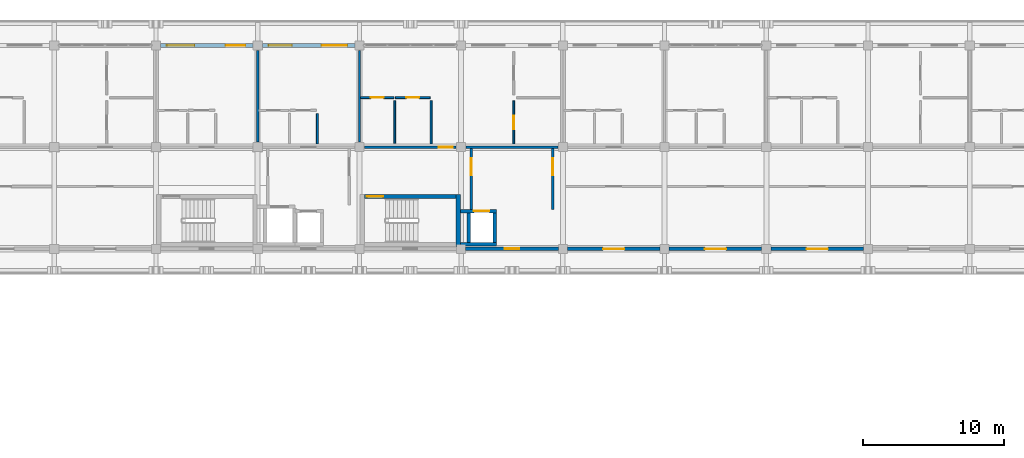
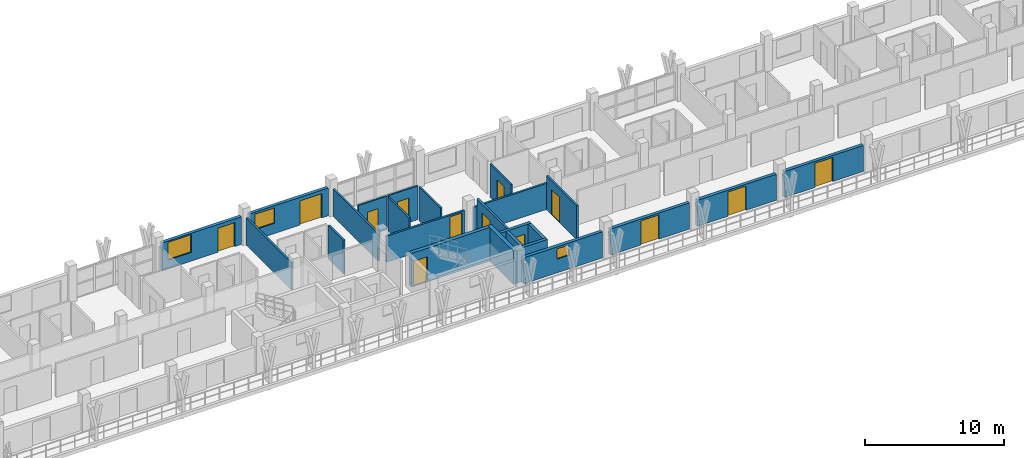
# One storey, part 48 of 78: 24 walls, 13 doors, 3 windows, 16 openings.
"""IFC4 building model written with IfcOpenShell, lengths in metres."""

from ifc_helpers import new_model, si_unit, direction, frame, frame_2d, origin, place, context, subcontext, project, spatial, rectangle, extrude, material, layer, layer_set, type_object, element, fill, save


model = new_model("IFC4")

# Units and contexts
model_context = context("Model", 3, precision=1e-05, world=origin(), true_north=direction((0.0, 1.0)))
body_context = subcontext(model_context, "Body", "Model", "MODEL_VIEW")
ifc_project = project(units=[si_unit("LENGTHUNIT", "METRE"), si_unit("AREAUNIT", "SQUARE_METRE"), si_unit("VOLUMEUNIT", "CUBIC_METRE"), si_unit("PLANEANGLEUNIT", "RADIAN"), si_unit("MASSUNIT", "GRAM", prefix="KILO")], contexts=[model_context])

# Site, building, storey
site_placement = place(None, origin())
site = spatial("IfcSite", under=ifc_project, at=site_placement, CompositionType="ELEMENT")
building_placement = place(site_placement, origin())
building = spatial("IfcBuilding", under=site, at=building_placement, Name="Suanplinth Sawtooth Commons", CompositionType="ELEMENT")
storey_placement = place(building_placement, frame((0.0, 0.0, 15.39990234375)))
storey = spatial("IfcBuildingStorey", under=building, at=storey_placement, Name="L04", CompositionType="ELEMENT", Elevation=15.39990234375)

# Wall, opening, door
ifc_material_1 = material(Name="Concrete C40/50", Category="concrete")
ifc_layer_1 = layer(ifc_material_1, 0.300048828125, Name="Standard RC stair and lift core wall 300mm")
ifc_layer_set_1 = layer_set([ifc_layer_1], Name="Concrete C40/50")
wall_type_1 = type_object("IfcWallType", Name="W-CR02", PredefinedType="SHEAR", material=ifc_layer_set_1)
wall_1_placement = place(storey_placement, frame((57.949951171875, 111.699951171875, 0.0), z_axis=(0.0, 0.0, 1.0), x_axis=(1.0, 0.0, 0.0)))
wall_1 = element("IfcWall", 1, at=wall_1_placement, inside=storey, type_object=wall_type_1, Name="W-L04-C-A2-STN", PredefinedType="SHEAR", context=body_context, shape_type="SweptSolid", body=[
    extrude(rectangle(XDim=6.5, YDim=0.300048828125, at=frame_2d((3.25, 0.0))), origin(), (0.0, 0.0, 1.0), 2.9501953125),
])
opening_1_placement = place(wall_1_placement, frame((0.179931640625, 0.0, 0.0)))
opening_1 = element("IfcOpeningElement", 2, at=opening_1_placement, cuts=wall_1, Name="Opening FD0106", PredefinedType="OPENING", context=body_context, shape_type="SweptSolid", body=[
    extrude(rectangle(XDim=1.14990234375, YDim=2.199951171875, at=frame_2d((0.574951171875, 1.10009765625))), frame((0.0, 0.1650390625, 0.0), z_axis=(0.0, -1.0, 0.0), x_axis=(1.0, 0.0, 0.0)), (0.0, 0.0, 1.0), 0.329833984375),
])
ifc_material_2 = material(Name="Teak hardwood fire-rated door assembly", Category="wood")
door_type_1 = type_object("IfcDoorType", Name="FD-01", OperationType="NOTDEFINED", PredefinedType="DOOR", material=ifc_material_2)
door_1_placement = place(opening_1_placement, frame((1.14990234375, 0.0, 0.0), z_axis=(0.0, 0.0, 1.0), x_axis=(-1.0, 0.0, 0.0)))
door_1 = element("IfcDoor", 3, at=door_1_placement, inside=storey, type_object=door_type_1, Name="Exit Stair Fire Door FD0106", OperationType="SINGLE_SWING_RIGHT", OverallHeight=2.199951171875, OverallWidth=1.14990234375, PredefinedType="DOOR", context=body_context, shape_type="SweptSolid", body=[
    extrude(rectangle(XDim=1.14990234375, YDim=2.199951171875, at=frame_2d((0.574951171875, 1.10009765625))), frame((0.0, 0.02490234375, 0.0), z_axis=(0.0, -1.0, 0.0), x_axis=(1.0, 0.0, 0.0)), (0.0, 0.0, 1.0), 0.050048828125),
])
fill(opening_1, door_1)

# Wall
wall_2_placement = place(storey_placement, frame((64.60009765625, 108.14990234375, 0.0), z_axis=(0.0, 0.0, 1.0), x_axis=(0.0, 1.0, 0.0)))
element("IfcWall", 4, at=wall_2_placement, inside=storey, type_object=wall_type_1, Name="W-L04-C-A2-STE", PredefinedType="SHEAR", context=body_context, shape_type="SweptSolid", body=[
    extrude(rectangle(XDim=3.7001953125, YDim=0.300048828125, at=frame_2d((1.85009765625, 0.0))), origin(), (0.0, 0.0, 1.0), 2.9501953125),
])

# Wall, openings, door, window
ifc_material_3 = material(Name="Precast concrete C40/50", Category="concrete")
ifc_layer_2 = layer(ifc_material_3, 0.260009765625, Name="Insulated precast courtyard facade wall 260mm")
ifc_layer_set_2 = layer_set([ifc_layer_2], Name="Precast concrete C40/50")
wall_type_2 = type_object("IfcWallType", Name="W-EX02", PredefinedType="ELEMENTEDWALL", material=ifc_layer_set_2)
wall_3_placement = place(storey_placement, frame((43.52490234375, 122.39990234375, 0.0), z_axis=(0.0, 0.0, 1.0), x_axis=(1.0, 0.0, 0.0)))
wall_3 = element("IfcWall", 5, at=wall_3_placement, inside=storey, type_object=wall_type_2, Name="Facade Wall W-L04-A-N-6", PredefinedType="ELEMENTEDWALL", context=body_context, shape_type="SweptSolid", body=[
    extrude(rectangle(XDim=6.550048828125, YDim=0.260009765625, at=frame_2d((3.27490234375, 0.0))), origin(), (0.0, 0.0, 1.0), 2.43017578125),
])
opening_2_placement = place(wall_3_placement, frame((4.60009765625, 0.0, 0.0)))
opening_2 = element("IfcOpeningElement", 6, at=opening_2_placement, cuts=wall_3, Name="Opening ED0319", PredefinedType="OPENING", context=body_context, shape_type="SweptSolid", body=[
    extrude(rectangle(XDim=1.39990234375, YDim=2.10009765625, at=frame_2d((0.699951171875, 1.050048828125))), frame((0.0, 0.14501953125, 0.0), z_axis=(0.0, -1.0, 0.0), x_axis=(1.0, 0.0, 0.0)), (0.0, 0.0, 1.0), 0.289794921875),
])
opening_3_placement = place(wall_3_placement, frame((0.449951171875, 0.0, 0.760009765625)))
opening_3 = element("IfcOpeningElement", 7, at=opening_3_placement, cuts=wall_3, Name="Opening W0418", PredefinedType="OPENING", context=body_context, shape_type="SweptSolid", body=[
    extrude(rectangle(XDim=1.949951171875, YDim=1.550048828125, at=frame_2d((0.97509765625, 0.77490234375))), frame((0.0, 0.14501953125, 0.0), z_axis=(0.0, -1.0, 0.0), x_axis=(1.0, 0.0, 0.0)), (0.0, 0.0, 1.0), 0.289794921875),
])
ifc_material_4 = material(Name="Anodized aluminium and low-E glass", Category="aluminium")
door_type_2 = type_object("IfcDoorType", Name="SD-07", OperationType="SLIDING_TO_RIGHT", PredefinedType="DOOR", material=ifc_material_4)
door_2_placement = place(opening_2_placement, frame((1.39990234375, 0.0, 0.0), z_axis=(0.0, 0.0, 1.0), x_axis=(-1.0, 0.0, 0.0)))
door_2 = element("IfcDoor", 8, at=door_2_placement, inside=storey, type_object=door_type_2, Name="Balcony Sliding Door L04-A-N-6", OperationType="SLIDING_TO_RIGHT", OverallHeight=2.10009765625, OverallWidth=1.39990234375, PredefinedType="DOOR", context=body_context, shape_type="SweptSolid", body=[
    extrude(rectangle(XDim=1.39990234375, YDim=2.10009765625, at=frame_2d((0.699951171875, 1.050048828125))), frame((0.0, 0.02490234375, 0.0), z_axis=(0.0, -1.0, 0.0), x_axis=(1.0, 0.0, 0.0)), (0.0, 0.0, 1.0), 0.050048828125),
])
fill(opening_2, door_2)
ifc_material_5 = material(Name="Thermally broken aluminium and low-E double glazing", Category="aluminium")
window_type_1 = type_object("IfcWindowType", Name="WN-18", PartitioningType="DOUBLE_PANEL_VERTICAL", PredefinedType="WINDOW", material=ifc_material_5)
window_1_placement = place(opening_3_placement, origin())
window_1 = element("IfcWindow", 9, at=window_1_placement, inside=storey, type_object=window_type_1, Name="Window L04-A-N-6", OverallHeight=1.550048828125, OverallWidth=1.949951171875, PartitioningType="DOUBLE_PANEL_VERTICAL", PredefinedType="WINDOW", context=body_context, shape_type="SweptSolid", body=[
    extrude(rectangle(XDim=1.949951171875, YDim=1.550048828125, at=frame_2d((0.97509765625, 0.77490234375))), frame((0.0, 0.030029296875, 0.0), z_axis=(0.0, -1.0, 0.0), x_axis=(1.0, 0.0, 0.0)), (0.0, 0.0, 1.0), 0.06005859375),
])
fill(opening_3, window_1)

wall_4_placement = place(storey_placement, frame((50.72509765625, 122.39990234375, 0.0), z_axis=(0.0, 0.0, 1.0), x_axis=(1.0, 0.0, 0.0)))
wall_4 = element("IfcWall", 10, at=wall_4_placement, inside=storey, type_object=wall_type_2, Name="Facade Wall W-L04-A-N-7", PredefinedType="ELEMENTEDWALL", context=body_context, shape_type="SweptSolid", body=[
    extrude(rectangle(XDim=6.5498046875, YDim=0.260009765625, at=frame_2d((3.27490234375, 0.0))), origin(), (0.0, 0.0, 1.0), 2.43017578125),
])
opening_4_placement = place(wall_4_placement, frame((4.199951171875, 0.0, 0.0)))
opening_4 = element("IfcOpeningElement", 11, at=opening_4_placement, cuts=wall_4, Name="Opening ED0320", PredefinedType="OPENING", context=body_context, shape_type="SweptSolid", body=[
    extrude(rectangle(XDim=1.800048828125, YDim=2.1201171875, at=frame_2d((0.89990234375, 1.06005859375))), frame((0.0, 0.14501953125, 0.0), z_axis=(0.0, -1.0, 0.0), x_axis=(1.0, 0.0, 0.0)), (0.0, 0.0, 1.0), 0.289794921875),
])
opening_5_placement = place(wall_4_placement, frame((0.449951171875, 0.0, 0.89990234375)))
opening_5 = element("IfcOpeningElement", 12, at=opening_5_placement, cuts=wall_4, Name="Opening W0420", PredefinedType="OPENING", context=body_context, shape_type="SweptSolid", body=[
    extrude(rectangle(XDim=1.64990234375, YDim=1.35009765625, at=frame_2d((0.824951171875, 0.675048828125))), frame((0.0, 0.14501953125, 0.0), z_axis=(0.0, -1.0, 0.0), x_axis=(1.0, 0.0, 0.0)), (0.0, 0.0, 1.0), 0.289794921875),
])
door_type_3 = type_object("IfcDoorType", Name="SD-01", OperationType="SLIDING_TO_LEFT", PredefinedType="DOOR", material=ifc_material_4)
door_3_placement = place(opening_4_placement, frame((1.800048828125, 0.0, 0.0), z_axis=(0.0, 0.0, 1.0), x_axis=(-1.0, 0.0, 0.0)))
door_3 = element("IfcDoor", 13, at=door_3_placement, inside=storey, type_object=door_type_3, Name="Balcony Sliding Door L04-A-N-7", OperationType="SLIDING_TO_LEFT", OverallHeight=2.1201171875, OverallWidth=1.800048828125, PredefinedType="DOOR", context=body_context, shape_type="SweptSolid", body=[
    extrude(rectangle(XDim=1.800048828125, YDim=2.1201171875, at=frame_2d((0.89990234375, 1.06005859375))), frame((0.0, 0.02490234375, 0.0), z_axis=(0.0, -1.0, 0.0), x_axis=(1.0, 0.0, 0.0)), (0.0, 0.0, 1.0), 0.050048828125),
])
fill(opening_4, door_3)
window_type_2 = type_object("IfcWindowType", Name="WN-19", PartitioningType="DOUBLE_PANEL_VERTICAL", PredefinedType="WINDOW", material=ifc_material_5)
window_2_placement = place(opening_5_placement, origin())
window_2 = element("IfcWindow", 14, at=window_2_placement, inside=storey, type_object=window_type_2, Name="Window L04-A-N-7", OverallHeight=1.35009765625, OverallWidth=1.64990234375, PartitioningType="DOUBLE_PANEL_VERTICAL", PredefinedType="WINDOW", context=body_context, shape_type="SweptSolid", body=[
    extrude(rectangle(XDim=1.64990234375, YDim=1.35009765625, at=frame_2d((0.824951171875, 0.675048828125))), frame((0.0, 0.030029296875, 0.0), z_axis=(0.0, -1.0, 0.0), x_axis=(1.0, 0.0, 0.0)), (0.0, 0.0, 1.0), 0.06005859375),
])
fill(opening_5, window_2)

# Wall, opening, window
wall_5_placement = place(storey_placement, frame((65.125, 108.0, 0.0), z_axis=(0.0, 0.0, 1.0), x_axis=(1.0, 0.0, 0.0)))
wall_5 = element("IfcWall", 15, at=wall_5_placement, inside=storey, type_object=wall_type_2, Name="Courtyard Wall W-L04-A-S-9", PredefinedType="ELEMENTEDWALL", context=body_context, shape_type="SweptSolid", body=[
    extrude(rectangle(XDim=6.550048828125, YDim=0.260009765625, at=frame_2d((3.27490234375, 0.0))), origin(), (0.0, 0.0, 1.0), 2.28515625),
])
opening_6_placement = place(wall_5_placement, frame((2.77490234375, 0.0, 1.199951171875)))
opening_6 = element("IfcOpeningElement", 16, at=opening_6_placement, cuts=wall_5, Name="Opening W0424", PredefinedType="OPENING", context=body_context, shape_type="SweptSolid", body=[
    extrude(rectangle(XDim=1.0, YDim=0.89990234375, at=frame_2d((0.5, 0.449951171875))), frame((0.0, 0.14501953125, 0.0), z_axis=(0.0, -1.0, 0.0), x_axis=(1.0, 0.0, 0.0)), (0.0, 0.0, 1.0), 0.289794921875),
])
window_type_3 = type_object("IfcWindowType", Name="WN-12", PartitioningType="SINGLE_PANEL", PredefinedType="WINDOW", material=ifc_material_5)
window_3_placement = place(opening_6_placement, origin())
window_3 = element("IfcWindow", 17, at=window_3_placement, inside=storey, type_object=window_type_3, Name="Core Daylight Window L04-A-9", OverallHeight=0.89990234375, OverallWidth=1.0, PartitioningType="SINGLE_PANEL", PredefinedType="WINDOW", context=body_context, shape_type="SweptSolid", body=[
    extrude(rectangle(XDim=1.0, YDim=0.89990234375, at=frame_2d((0.5, 0.449951171875))), frame((0.0, 0.030029296875, 0.0), z_axis=(0.0, -1.0, 0.0), x_axis=(1.0, 0.0, 0.0)), (0.0, 0.0, 1.0), 0.06005859375),
])
fill(opening_6, window_3)

# Wall, opening, door
wall_6_placement = place(storey_placement, frame((72.324951171875, 108.0, 0.0), z_axis=(0.0, 0.0, 1.0), x_axis=(1.0, 0.0, 0.0)))
wall_6 = element("IfcWall", 18, at=wall_6_placement, inside=storey, type_object=wall_type_2, Name="Courtyard Wall W-L04-A-S-10", PredefinedType="ELEMENTEDWALL", context=body_context, shape_type="SweptSolid", body=[
    extrude(rectangle(XDim=6.550048828125, YDim=0.260009765625, at=frame_2d((3.27490234375, 0.0))), origin(), (0.0, 0.0, 1.0), 2.28515625),
])
opening_7_placement = place(wall_6_placement, frame((2.52490234375, 0.0, 0.0)))
opening_7 = element("IfcOpeningElement", 19, at=opening_7_placement, cuts=wall_6, Name="Opening ED0323", PredefinedType="OPENING", context=body_context, shape_type="SweptSolid", body=[
    extrude(rectangle(XDim=1.5, YDim=2.1201171875, at=frame_2d((0.75, 1.06005859375))), frame((0.0, 0.14501953125, 0.0), z_axis=(0.0, -1.0, 0.0), x_axis=(1.0, 0.0, 0.0)), (0.0, 0.0, 1.0), 0.289794921875),
])
door_type_4 = type_object("IfcDoorType", Name="SD-03", OperationType="SLIDING_TO_LEFT", PredefinedType="DOOR", material=ifc_material_4)
door_4_placement = place(opening_7_placement, frame((1.5, 0.0, 0.0), z_axis=(0.0, 0.0, 1.0), x_axis=(-1.0, 0.0, 0.0)))
door_4 = element("IfcDoor", 20, at=door_4_placement, inside=storey, type_object=door_type_4, Name="Courtyard Balcony Sliding Door L04-A-S-10", OperationType="SLIDING_TO_LEFT", OverallHeight=2.1201171875, OverallWidth=1.5, PredefinedType="DOOR", context=body_context, shape_type="SweptSolid", body=[
    extrude(rectangle(XDim=1.5, YDim=2.1201171875, at=frame_2d((0.75, 1.06005859375))), frame((0.0, 0.02490234375, 0.0), z_axis=(0.0, -1.0, 0.0), x_axis=(1.0, 0.0, 0.0)), (0.0, 0.0, 1.0), 0.050048828125),
])
fill(opening_7, door_4)

wall_7_placement = place(storey_placement, frame((79.52490234375, 108.0, 0.0), z_axis=(0.0, 0.0, 1.0), x_axis=(1.0, 0.0, 0.0)))
wall_7 = element("IfcWall", 21, at=wall_7_placement, inside=storey, type_object=wall_type_2, Name="Courtyard Wall W-L04-A-S-11", PredefinedType="ELEMENTEDWALL", context=body_context, shape_type="SweptSolid", body=[
    extrude(rectangle(XDim=6.550048828125, YDim=0.260009765625, at=frame_2d((3.27490234375, 0.0))), origin(), (0.0, 0.0, 1.0), 2.28515625),
])
opening_8_placement = place(wall_7_placement, frame((2.52490234375, 0.0, 0.0)))
opening_8 = element("IfcOpeningElement", 22, at=opening_8_placement, cuts=wall_7, Name="Opening ED0324", PredefinedType="OPENING", context=body_context, shape_type="SweptSolid", body=[
    extrude(rectangle(XDim=1.5, YDim=2.1201171875, at=frame_2d((0.75, 1.06005859375))), frame((0.0, 0.14501953125, 0.0), z_axis=(0.0, -1.0, 0.0), x_axis=(1.0, 0.0, 0.0)), (0.0, 0.0, 1.0), 0.289794921875),
])
door_5_placement = place(opening_8_placement, frame((1.5, 0.0, 0.0), z_axis=(0.0, 0.0, 1.0), x_axis=(-1.0, 0.0, 0.0)))
door_5 = element("IfcDoor", 23, at=door_5_placement, inside=storey, type_object=door_type_4, Name="Courtyard Balcony Sliding Door L04-A-S-11", OperationType="SLIDING_TO_LEFT", OverallHeight=2.1201171875, OverallWidth=1.5, PredefinedType="DOOR", context=body_context, shape_type="SweptSolid", body=[
    extrude(rectangle(XDim=1.5, YDim=2.1201171875, at=frame_2d((0.75, 1.06005859375))), frame((0.0, 0.02490234375, 0.0), z_axis=(0.0, -1.0, 0.0), x_axis=(1.0, 0.0, 0.0)), (0.0, 0.0, 1.0), 0.050048828125),
])
fill(opening_8, door_5)

wall_8_placement = place(storey_placement, frame((86.72509765625, 108.0, 0.0), z_axis=(0.0, 0.0, 1.0), x_axis=(1.0, 0.0, 0.0)))
wall_8 = element("IfcWall", 24, at=wall_8_placement, inside=storey, type_object=wall_type_2, Name="Courtyard Wall W-L04-A-S-12", PredefinedType="ELEMENTEDWALL", context=body_context, shape_type="SweptSolid", body=[
    extrude(rectangle(XDim=6.5498046875, YDim=0.260009765625, at=frame_2d((3.27490234375, 0.0))), origin(), (0.0, 0.0, 1.0), 2.28515625),
])
opening_9_placement = place(wall_8_placement, frame((2.52490234375, 0.0, 0.0)))
opening_9 = element("IfcOpeningElement", 25, at=opening_9_placement, cuts=wall_8, Name="Opening ED0326", PredefinedType="OPENING", context=body_context, shape_type="SweptSolid", body=[
    extrude(rectangle(XDim=1.5, YDim=2.1201171875, at=frame_2d((0.75, 1.06005859375))), frame((0.0, 0.14501953125, 0.0), z_axis=(0.0, -1.0, 0.0), x_axis=(1.0, 0.0, 0.0)), (0.0, 0.0, 1.0), 0.289794921875),
])
door_6_placement = place(opening_9_placement, frame((1.5, 0.0, 0.0), z_axis=(0.0, 0.0, 1.0), x_axis=(-1.0, 0.0, 0.0)))
door_6 = element("IfcDoor", 26, at=door_6_placement, inside=storey, type_object=door_type_4, Name="Courtyard Balcony Sliding Door L04-A-S-12", OperationType="SLIDING_TO_LEFT", OverallHeight=2.1201171875, OverallWidth=1.5, PredefinedType="DOOR", context=body_context, shape_type="SweptSolid", body=[
    extrude(rectangle(XDim=1.5, YDim=2.1201171875, at=frame_2d((0.75, 1.06005859375))), frame((0.0, 0.02490234375, 0.0), z_axis=(0.0, -1.0, 0.0), x_axis=(1.0, 0.0, 0.0)), (0.0, 0.0, 1.0), 0.050048828125),
])
fill(opening_9, door_6)

ifc_layer_3 = layer(ifc_material_3, 0.159912109375, Name="Fire-rated corridor and lobby wall 160mm")
ifc_layer_set_3 = layer_set([ifc_layer_3], Name="Precast concrete C40/50")
wall_type_3 = type_object("IfcWallType", Name="W-FW01", PredefinedType="PARTITIONING", material=ifc_layer_set_3)
wall_9_placement = place(storey_placement, frame((65.52001953125, 110.800048828125, 0.0), z_axis=(0.0, 0.0, 1.0), x_axis=(0.0, 1.0, 0.0)))
wall_9 = element("IfcWall", 27, at=wall_9_placement, inside=storey, type_object=wall_type_3, Name="W-L04-C-A2-LOB-W", PredefinedType="PARTITIONING", context=body_context, shape_type="SweptSolid", body=[
    extrude(rectangle(XDim=4.320068359375, YDim=0.159912109375, at=frame_2d((2.16015625, 0.0))), origin(), (0.0, 0.0, 1.0), 2.9501953125),
])
opening_10_placement = place(wall_9_placement, frame((2.39990234375, 0.0, 0.0)))
opening_10 = element("IfcOpeningElement", 28, at=opening_10_placement, cuts=wall_9, Name="Opening FD0107", PredefinedType="OPENING", context=body_context, shape_type="SweptSolid", body=[
    extrude(rectangle(XDim=1.199951171875, YDim=2.199951171875, at=frame_2d((0.60009765625, 1.10009765625))), frame((0.0, 0.0947265625, 0.0), z_axis=(0.0, -1.0, 0.0), x_axis=(1.0, 0.0, 0.0)), (0.0, 0.0, 1.0), 0.189697265625),
])
door_type_5 = type_object("IfcDoorType", Name="FD-02", OperationType="NOTDEFINED", PredefinedType="DOOR", material=ifc_material_2)
door_7_placement = place(opening_10_placement, origin())
door_7 = element("IfcDoor", 29, at=door_7_placement, inside=storey, type_object=door_type_5, Name="Lobby Fire Door FD0107", OperationType="SINGLE_SWING_LEFT", OverallHeight=2.199951171875, OverallWidth=1.199951171875, PredefinedType="DOOR", context=body_context, shape_type="SweptSolid", body=[
    extrude(rectangle(XDim=1.199951171875, YDim=2.199951171875, at=frame_2d((0.60009765625, 1.10009765625))), frame((0.0, 0.02490234375, 0.0), z_axis=(0.0, -1.0, 0.0), x_axis=(1.0, 0.0, 0.0)), (0.0, 0.0, 1.0), 0.050048828125),
])
fill(opening_10, door_7)

wall_10_placement = place(storey_placement, frame((71.280029296875, 110.800048828125, 0.0), z_axis=(0.0, 0.0, 1.0), x_axis=(0.0, 1.0, 0.0)))
wall_10 = element("IfcWall", 30, at=wall_10_placement, inside=storey, type_object=wall_type_3, Name="W-L04-C-A2-LOB-E", PredefinedType="PARTITIONING", context=body_context, shape_type="SweptSolid", body=[
    extrude(rectangle(XDim=4.320068359375, YDim=0.159912109375, at=frame_2d((2.16015625, 0.0))), origin(), (0.0, 0.0, 1.0), 2.9501953125),
])
opening_11_placement = place(wall_10_placement, frame((2.39990234375, 0.0, 0.0)))
opening_11 = element("IfcOpeningElement", 31, at=opening_11_placement, cuts=wall_10, Name="Opening FD0108", PredefinedType="OPENING", context=body_context, shape_type="SweptSolid", body=[
    extrude(rectangle(XDim=1.199951171875, YDim=2.199951171875, at=frame_2d((0.60009765625, 1.10009765625))), frame((0.0, 0.0947265625, 0.0), z_axis=(0.0, -1.0, 0.0), x_axis=(1.0, 0.0, 0.0)), (0.0, 0.0, 1.0), 0.189697265625),
])
door_8_placement = place(opening_11_placement, frame((1.199951171875, 0.0, 0.0), z_axis=(0.0, 0.0, 1.0), x_axis=(-1.0, 0.0, 0.0)))
door_8 = element("IfcDoor", 32, at=door_8_placement, inside=storey, type_object=door_type_5, Name="Lobby Fire Door FD0108", OperationType="SINGLE_SWING_RIGHT", OverallHeight=2.199951171875, OverallWidth=1.199951171875, PredefinedType="DOOR", context=body_context, shape_type="SweptSolid", body=[
    extrude(rectangle(XDim=1.199951171875, YDim=2.199951171875, at=frame_2d((0.60009765625, 1.10009765625))), frame((0.0, 0.02490234375, 0.0), z_axis=(0.0, -1.0, 0.0), x_axis=(1.0, 0.0, 0.0)), (0.0, 0.0, 1.0), 0.050048828125),
])
fill(opening_11, door_8)

wall_11_placement = place(storey_placement, frame((57.955078125, 115.199951171875, 0.0), z_axis=(0.0, 0.0, 1.0), x_axis=(1.0, 0.0, 0.0)))
wall_11 = element("IfcWall", 33, at=wall_11_placement, inside=storey, type_object=wall_type_3, Name="W-A-L04-U07-COR-S1", PredefinedType="PARTITIONING", context=body_context, shape_type="SweptSolid", body=[
    extrude(rectangle(XDim=6.489990234375, YDim=0.159912109375, at=frame_2d((3.2451171875, 0.0))), origin(), (0.0, 0.0, 1.0), 2.28515625),
])
opening_12_placement = place(wall_11_placement, frame((5.2451171875, 0.0, 0.0)))
opening_12 = element("IfcOpeningElement", 34, at=opening_12_placement, cuts=wall_11, Name="Opening FD1061", PredefinedType="OPENING", context=body_context, shape_type="SweptSolid", body=[
    extrude(rectangle(XDim=1.0, YDim=2.14990234375, at=frame_2d((0.5, 1.074951171875))), frame((0.0, 0.0947265625, 0.0), z_axis=(0.0, -1.0, 0.0), x_axis=(1.0, 0.0, 0.0)), (0.0, 0.0, 1.0), 0.189697265625),
])
door_type_6 = type_object("IfcDoorType", Name="FD-03", OperationType="NOTDEFINED", PredefinedType="DOOR", material=ifc_material_2)
door_9_placement = place(opening_12_placement, origin())
door_9 = element("IfcDoor", 35, at=door_9_placement, inside=storey, type_object=door_type_6, Name="Unit Entrance Door FD1061", OperationType="SINGLE_SWING_LEFT", OverallHeight=2.14990234375, OverallWidth=1.0, PredefinedType="DOOR", context=body_context, shape_type="SweptSolid", body=[
    extrude(rectangle(XDim=1.0, YDim=2.14990234375, at=frame_2d((0.5, 1.074951171875))), frame((0.0, 0.02490234375, 0.0), z_axis=(0.0, -1.0, 0.0), x_axis=(1.0, 0.0, 0.0)), (0.0, 0.0, 1.0), 0.050048828125),
])
fill(opening_12, door_9)

# Walls
wall_12_placement = place(storey_placement, frame((65.155029296875, 115.199951171875, 0.0), z_axis=(0.0, 0.0, 1.0), x_axis=(1.0, 0.0, 0.0)))
element("IfcWall", 36, at=wall_12_placement, inside=storey, type_object=wall_type_3, Name="W-A-L04-U07-COR-S2", PredefinedType="PARTITIONING", context=body_context, shape_type="SweptSolid", body=[
    extrude(rectangle(XDim=6.489990234375, YDim=0.159912109375, at=frame_2d((3.2451171875, 0.0))), origin(), (0.0, 0.0, 1.0), 2.28515625),
])
ifc_layer_4 = layer(ifc_material_3, 0.14990234375, Name="Acoustic precast party demising wall 150mm")
ifc_layer_set_4 = layer_set([ifc_layer_4], Name="Precast concrete C40/50")
wall_type_4 = type_object("IfcWallType", Name="W-FW02", PredefinedType="PARTITIONING", material=ifc_layer_set_4)
for number, where, z_axis, x_axis, name in (
    (37, (50.39990234375, 115.554931640625, 0.0), (0.0, 0.0, 1.0), (0.0, 1.0, 0.0), "W-A-L04-U05-PTY"),
    (38, (57.60009765625, 115.554931640625, 0.0), (0.0, 0.0, 1.0), (0.0, 1.0, 0.0), "W-A-L04-U06-PTY"),
):
    element("IfcWall", number, at=place(storey_placement, frame(where, z_axis=z_axis, x_axis=x_axis)), inside=storey, type_object=wall_type_4, Name=name, PredefinedType="PARTITIONING", context=body_context, shape_type="SweptSolid", body=[
        extrude(rectangle(XDim=6.489990234375, YDim=0.14990234375, at=frame_2d((3.2451171875, 0.0))), origin(), (0.0, 0.0, 1.0), 2.385009765625),
    ])
ifc_material_6 = material(Name="Gypsum plasterboard on steel stud", Category="steel")
ifc_layer_5 = layer(ifc_material_6, 0.139892578125, Name="Fire-rated kitchen partition 140mm")
ifc_layer_set_5 = layer_set([ifc_layer_5], Name="Gypsum plasterboard on steel stud")
wall_type_5 = type_object("IfcWallType", Name="W-PT01", PredefinedType="PARTITIONING", material=ifc_layer_set_5)
wall_13_placement = place(storey_placement, frame((54.6201171875, 115.429931640625, 0.0), z_axis=(0.0, 0.0, 1.0), x_axis=(0.0, 1.0, 0.0)))
element("IfcWall", 39, at=wall_13_placement, inside=storey, type_object=wall_type_5, Name="W-A-L04-U06-KIT2", PredefinedType="PARTITIONING", context=body_context, shape_type="SweptSolid", body=[
    extrude(rectangle(XDim=2.150146484375, YDim=0.139892578125, at=frame_2d((1.0751953125, 0.0))), origin(), (0.0, 0.0, 1.0), 2.9501953125),
])

# Wall, opening, door
wall_14_placement = place(storey_placement, frame((60.14990234375, 118.7099609375, 0.0), z_axis=(0.0, 0.0, 1.0), x_axis=(1.0, 0.0, 0.0)))
wall_14 = element("IfcWall", 40, at=wall_14_placement, inside=storey, type_object=wall_type_5, Name="W-A-L04-U07-KIT1", PredefinedType="PARTITIONING", context=body_context, shape_type="SweptSolid", body=[
    extrude(rectangle(XDim=2.4501953125, YDim=0.139892578125, at=frame_2d((1.22509765625, 0.0))), origin(), (0.0, 0.0, 1.0), 2.9501953125),
])
opening_13_placement = place(wall_14_placement, frame((0.760009765625, 0.0, 0.0)))
opening_13 = element("IfcOpeningElement", 41, at=opening_13_placement, cuts=wall_14, Name="Opening D1063", PredefinedType="OPENING", context=body_context, shape_type="SweptSolid", body=[
    extrude(rectangle(XDim=0.929931640625, YDim=2.139892578125, at=frame_2d((0.46484375, 1.06982421875))), frame((0.0, 0.0849609375, 0.0), z_axis=(0.0, -1.0, 0.0), x_axis=(1.0, 0.0, 0.0)), (0.0, 0.0, 1.0), 0.169677734375),
])
ifc_material_7 = material(Name="Teak hardwood", Category="wood")
door_type_7 = type_object("IfcDoorType", Name="D-19", OperationType="NOTDEFINED", PredefinedType="DOOR", material=ifc_material_7)
door_10_placement = place(opening_13_placement, frame((0.929931640625, 0.0, 0.0), z_axis=(0.0, 0.0, 1.0), x_axis=(-1.0, 0.0, 0.0)))
door_10 = element("IfcDoor", 42, at=door_10_placement, inside=storey, type_object=door_type_7, Name="Kitchen Door D1063", OperationType="SINGLE_SWING_LEFT", OverallHeight=2.139892578125, OverallWidth=0.929931640625, PredefinedType="DOOR", context=body_context, shape_type="SweptSolid", body=[
    extrude(rectangle(XDim=0.929931640625, YDim=2.139892578125, at=frame_2d((0.46484375, 1.06982421875))), frame((0.0, 0.02490234375, 0.0), z_axis=(0.0, -1.0, 0.0), x_axis=(1.0, 0.0, 0.0)), (0.0, 0.0, 1.0), 0.050048828125),
])
fill(opening_13, door_10)

# Wall
wall_15_placement = place(storey_placement, frame((62.669921875, 115.429931640625, 0.0), z_axis=(0.0, 0.0, 1.0), x_axis=(0.0, 1.0, 0.0)))
element("IfcWall", 43, at=wall_15_placement, inside=storey, type_object=wall_type_5, Name="W-A-L04-U07-KIT2", PredefinedType="PARTITIONING", context=body_context, shape_type="SweptSolid", body=[
    extrude(rectangle(XDim=3.06005859375, YDim=0.139892578125, at=frame_2d((1.530029296875, 0.0))), origin(), (0.0, 0.0, 1.0), 2.9501953125),
])

# Wall, opening, door
ifc_layer_6 = layer(ifc_material_6, 0.1298828125, Name="Moisture-resistant bathroom partition 130mm")
ifc_layer_set_6 = layer_set([ifc_layer_6], Name="Gypsum plasterboard on steel stud")
wall_type_6 = type_object("IfcWallType", Name="W-PT02", PredefinedType="PARTITIONING", material=ifc_layer_set_6)
wall_16_placement = place(storey_placement, frame((57.679931640625, 118.705078125, 0.0), z_axis=(0.0, 0.0, 1.0), x_axis=(1.0, 0.0, 0.0)))
wall_16 = element("IfcWall", 44, at=wall_16_placement, inside=storey, type_object=wall_type_6, Name="W-A-L04-U07-BTH1", PredefinedType="PARTITIONING", context=body_context, shape_type="SweptSolid", body=[
    extrude(rectangle(XDim=2.35009765625, YDim=0.1298828125, at=frame_2d((1.175048828125, 0.0))), origin(), (0.0, 0.0, 1.0), 2.9501953125),
])
opening_14_placement = place(wall_16_placement, frame((0.72509765625, 0.0, 0.0)))
opening_14 = element("IfcOpeningElement", 45, at=opening_14_placement, cuts=wall_16, Name="Opening D1062", PredefinedType="OPENING", context=body_context, shape_type="SweptSolid", body=[
    extrude(rectangle(XDim=0.89990234375, YDim=2.10009765625, at=frame_2d((0.449951171875, 1.050048828125))), frame((0.0, 0.079833984375, 0.0), z_axis=(0.0, -1.0, 0.0), x_axis=(1.0, 0.0, 0.0)), (0.0, 0.0, 1.0), 0.15966796875),
])
door_type_8 = type_object("IfcDoorType", Name="D-01", OperationType="NOTDEFINED", PredefinedType="DOOR", material=ifc_material_7)
door_11_placement = place(opening_14_placement, frame((0.89990234375, 0.0, 0.0), z_axis=(0.0, 0.0, 1.0), x_axis=(-1.0, 0.0, 0.0)))
door_11 = element("IfcDoor", 46, at=door_11_placement, inside=storey, type_object=door_type_8, Name="Bathroom Door D1062", OperationType="SINGLE_SWING_RIGHT", OverallHeight=2.10009765625, OverallWidth=0.89990234375, PredefinedType="DOOR", context=body_context, shape_type="SweptSolid", body=[
    extrude(rectangle(XDim=0.89990234375, YDim=2.10009765625, at=frame_2d((0.449951171875, 1.050048828125))), frame((0.0, 0.02490234375, 0.0), z_axis=(0.0, -1.0, 0.0), x_axis=(1.0, 0.0, 0.0)), (0.0, 0.0, 1.0), 0.050048828125),
])
fill(opening_14, door_11)

# Wall
wall_17_placement = place(storey_placement, frame((60.094970703125, 115.4599609375, 0.0), z_axis=(0.0, 0.0, 1.0), x_axis=(0.0, 1.0, 0.0)))
element("IfcWall", 47, at=wall_17_placement, inside=storey, type_object=wall_type_6, Name="W-A-L04-U07-BTH2", PredefinedType="PARTITIONING", context=body_context, shape_type="SweptSolid", body=[
    extrude(rectangle(XDim=3.0400390625, YDim=0.1298828125, at=frame_2d((1.52001953125, 0.0))), origin(), (0.0, 0.0, 1.0), 2.9501953125),
])

# Wall, opening, door
ifc_layer_7 = layer(ifc_material_6, 0.1201171875, Name="Acoustic bedroom partition 120mm")
ifc_layer_set_7 = layer_set([ifc_layer_7], Name="Gypsum plasterboard on steel stud")
wall_type_7 = type_object("IfcWallType", Name="W-PT03", PredefinedType="PARTITIONING", material=ifc_layer_set_7)
wall_18_placement = place(storey_placement, frame((68.52001953125, 115.43994140625, 0.0), z_axis=(0.0, 0.0, 1.0), x_axis=(0.0, 1.0, 0.0)))
wall_18 = element("IfcWall", 48, at=wall_18_placement, inside=storey, type_object=wall_type_7, Name="W-A-L04-U07-BED2", PredefinedType="PARTITIONING", context=body_context, shape_type="SweptSolid", body=[
    extrude(rectangle(XDim=3.0400390625, YDim=0.1201171875, at=frame_2d((1.52001953125, 0.0))), origin(), (0.0, 0.0, 1.0), 2.9501953125),
])
opening_15_placement = place(wall_18_placement, frame((1.0400390625, 0.0, 0.0)))
opening_15 = element("IfcOpeningElement", 49, at=opening_15_placement, cuts=wall_18, Name="Opening D1065", PredefinedType="OPENING", context=body_context, shape_type="SweptSolid", body=[
    extrude(rectangle(XDim=0.9599609375, YDim=2.14990234375, at=frame_2d((0.47998046875, 1.074951171875))), frame((0.0, 0.074951171875, 0.0), z_axis=(0.0, -1.0, 0.0), x_axis=(1.0, 0.0, 0.0)), (0.0, 0.0, 1.0), 0.14990234375),
])
door_type_9 = type_object("IfcDoorType", Name="D-13", OperationType="NOTDEFINED", PredefinedType="DOOR", material=ifc_material_7)
door_12_placement = place(opening_15_placement, frame((0.9599609375, 0.0, 0.0), z_axis=(0.0, 0.0, 1.0), x_axis=(-1.0, 0.0, 0.0)))
door_12 = element("IfcDoor", 50, at=door_12_placement, inside=storey, type_object=door_type_9, Name="Second Bedroom Door D1065", OperationType="SINGLE_SWING_LEFT", OverallHeight=2.14990234375, OverallWidth=0.9599609375, PredefinedType="DOOR", context=body_context, shape_type="SweptSolid", body=[
    extrude(rectangle(XDim=0.9599609375, YDim=2.14990234375, at=frame_2d((0.47998046875, 1.074951171875))), frame((0.0, 0.02490234375, 0.0), z_axis=(0.0, -1.0, 0.0), x_axis=(1.0, 0.0, 0.0)), (0.0, 0.0, 1.0), 0.050048828125),
])
fill(opening_15, door_12)

# Wall
ifc_layer_8 = layer(ifc_material_3, 0.25, Name="Precast structural shear wall 250mm")
ifc_layer_set_8 = layer_set([ifc_layer_8], Name="Precast concrete C40/50")
wall_type_8 = type_object("IfcWallType", Name="W-SH01", PredefinedType="SHEAR", material=ifc_layer_set_8)
wall_19_placement = place(storey_placement, frame((64.75, 108.324951171875, 0.0), z_axis=(0.0, 0.0, 1.0), x_axis=(1.0, 0.0, 0.0)))
element("IfcWall", 51, at=wall_19_placement, inside=storey, type_object=wall_type_8, Name="W-L04-LF2-S", PredefinedType="SHEAR", context=body_context, shape_type="SweptSolid", body=[
    extrude(rectangle(XDim=2.550048828125, YDim=0.25, at=frame_2d((1.27490234375, 0.0))), origin(), (0.0, 0.0, 1.0), 2.9501953125),
])

# Wall, opening, door
wall_20_placement = place(storey_placement, frame((64.75, 110.675048828125, 0.0), z_axis=(0.0, 0.0, 1.0), x_axis=(1.0, 0.0, 0.0)))
wall_20 = element("IfcWall", 52, at=wall_20_placement, inside=storey, type_object=wall_type_8, Name="W-L04-LF2-N", PredefinedType="SHEAR", context=body_context, shape_type="SweptSolid", body=[
    extrude(rectangle(XDim=2.550048828125, YDim=0.25, at=frame_2d((1.27490234375, 0.0))), origin(), (0.0, 0.0, 1.0), 2.9501953125),
])
opening_16_placement = place(wall_20_placement, frame((0.949951171875, 0.0, 0.0)))
opening_16 = element("IfcOpeningElement", 53, at=opening_16_placement, cuts=wall_20, Name="Opening LD0109", PredefinedType="OPENING", context=body_context, shape_type="SweptSolid", body=[
    extrude(rectangle(XDim=1.10009765625, YDim=2.14990234375, at=frame_2d((0.550048828125, 1.074951171875))), frame((0.0, 0.139892578125, 0.0), z_axis=(0.0, -1.0, 0.0), x_axis=(1.0, 0.0, 0.0)), (0.0, 0.0, 1.0), 0.27978515625),
])
ifc_material_8 = material(Name="Stainless steel Grade 304", Category="steel")
door_type_10 = type_object("IfcDoorType", Name="LD-01", OperationType="SLIDING_TO_LEFT", PredefinedType="DOOR", material=ifc_material_8)
door_13_placement = place(opening_16_placement, origin())
door_13 = element("IfcDoor", 54, at=door_13_placement, inside=storey, type_object=door_type_10, Name="Lift Landing Sliding Door LF2 L04", OperationType="SLIDING_TO_LEFT", OverallHeight=2.14990234375, OverallWidth=1.10009765625, PredefinedType="DOOR", context=body_context, shape_type="SweptSolid", body=[
    extrude(rectangle(XDim=1.10009765625, YDim=2.14990234375, at=frame_2d((0.550048828125, 1.074951171875))), frame((0.0, 0.02490234375, 0.0), z_axis=(0.0, -1.0, 0.0), x_axis=(1.0, 0.0, 0.0)), (0.0, 0.0, 1.0), 0.050048828125),
])
fill(opening_16, door_13)

# Walls
for number, where, z_axis, x_axis, name in (
    (55, (65.324951171875, 108.449951171875, 0.0), (0.0, 0.0, 1.0), (0.0, 1.0, 0.0), "W-L04-LF2-W"),
    (56, (67.175048828125, 108.449951171875, 0.0), (0.0, 0.0, 1.0), (0.0, 1.0, 0.0), "W-L04-LF2-E"),
):
    element("IfcWall", number, at=place(storey_placement, frame(where, z_axis=z_axis, x_axis=x_axis)), inside=storey, type_object=wall_type_8, Name=name, PredefinedType="SHEAR", context=body_context, shape_type="SweptSolid", body=[
        extrude(rectangle(XDim=2.10009765625, YDim=0.25, at=frame_2d((1.050048828125, 0.0))), origin(), (0.0, 0.0, 1.0), 2.9501953125),
    ])

save(model, "model.ifc")
